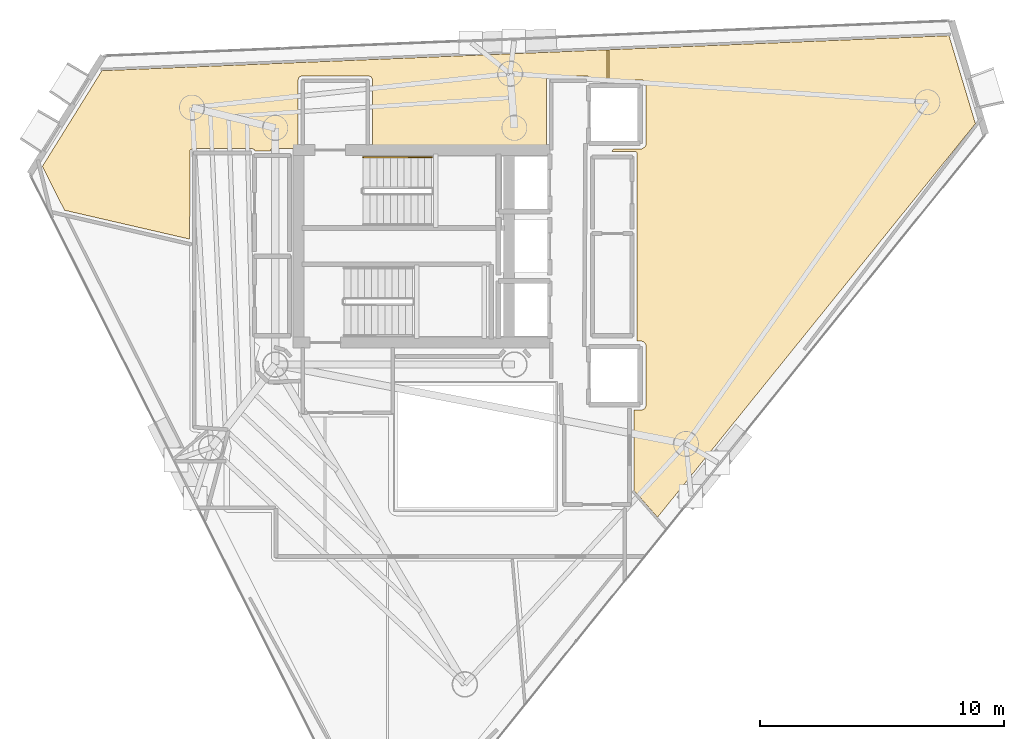
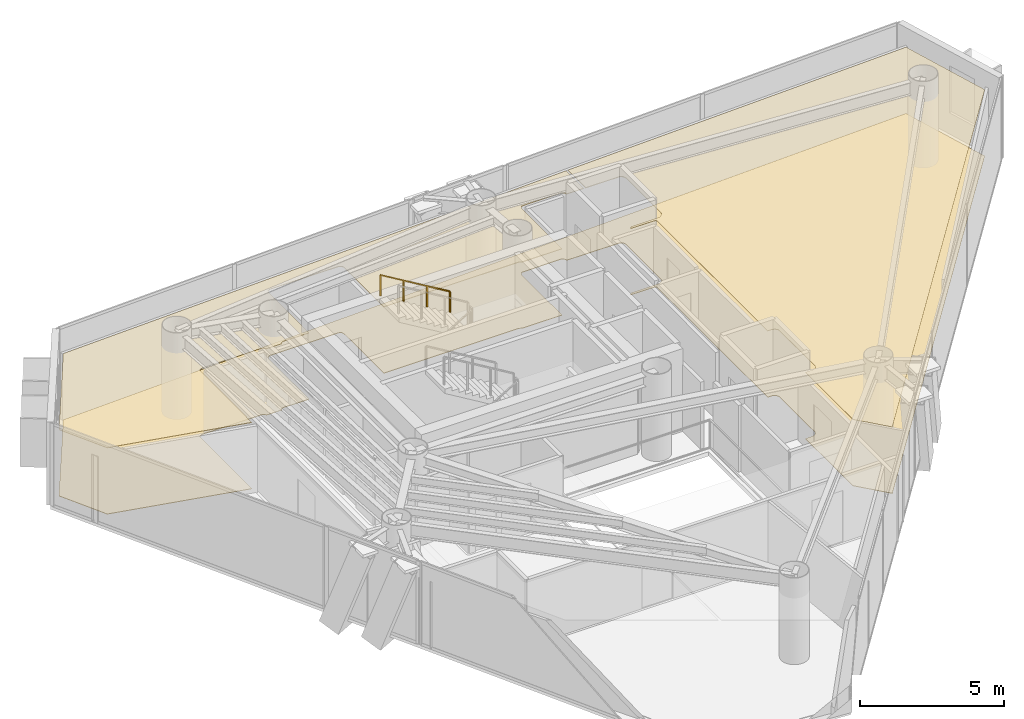
# One storey, part 18 of 19: 3 coverings, 1 railing.
"""IFC4 building model written with IfcOpenShell, lengths in metres."""

from ifc_helpers import new_model, si_unit, direction, frame, origin, origin_2d, place, context, subcontext, project, spatial, polyline, rectangle, outline, extrude, material, layer, layer_set, type_object, element, save


model = new_model("IFC4")

# Units and contexts
model_context = context("Model", 3, precision=1e-05, world=origin(), true_north=direction((0.0, 1.0)))
body_context = subcontext(model_context, "Body", "Model", "MODEL_VIEW")
ifc_project = project(units=[si_unit("LENGTHUNIT", "METRE"), si_unit("AREAUNIT", "SQUARE_METRE"), si_unit("VOLUMEUNIT", "CUBIC_METRE"), si_unit("PLANEANGLEUNIT", "RADIAN"), si_unit("MASSUNIT", "GRAM", prefix="KILO")], contexts=[model_context])

# Site, building, storey
site_placement = place(None, origin())
site = spatial("IfcSite", under=ifc_project, at=site_placement, CompositionType="ELEMENT")
building_placement = place(site_placement, origin())
building = spatial("IfcBuilding", under=site, at=building_placement, Name="Qianvela Tower", CompositionType="ELEMENT")
storey_placement = place(building_placement, frame((0.0, 0.0, 261.199951171875)))
storey = spatial("IfcBuildingStorey", under=building, at=storey_placement, Name="L67", CompositionType="ELEMENT", Elevation=261.199951171875)

# Coverings
ifc_material_1 = material(Name="Perforated Mineral Acoustic Ceiling Tile")
ifc_layer_1 = layer(ifc_material_1, 0.02490234375)
ifc_layer_set_1 = layer_set([ifc_layer_1], Name="Perforated Mineral Acoustic Ceiling Tile")
covering_type_1 = type_object("IfcCoveringType", Name="COV-CEIL-ACOUSTIC-25", PredefinedType="CEILING", material=ifc_layer_set_1)
covering_1_placement = place(storey_placement, frame((0.0, 0.0, 2.81494140625)))
element("IfcCovering", 1, at=covering_1_placement, inside=storey, type_object=covering_type_1, Name="L67 Acoustic Ceiling Bay 1 Stationery Supply Boutique L67-04", PredefinedType="CEILING", context=body_context, shape_type="SweptSolid", body=[
    extrude(outline(polyline([(28.54296875, 32.709716796875), (28.53662109375, 32.70947265625), (28.530029296875, 32.708740234375), (28.4677734375, 32.69921875), (28.460205078125, 32.697509765625), (28.452880859375, 32.6953125), (28.446044921875, 32.6923828125), (28.439208984375, 32.688720703125), (28.432861328125, 32.6845703125), (28.427001953125, 32.6796875), (28.42138671875, 32.674560546875), (28.41650390625, 32.668701171875), (28.412109375, 32.662353515625), (28.408447265625, 32.65576171875), (28.405517578125, 32.648681640625), (28.403076171875, 32.6416015625), (28.4013671875, 32.634033203125), (28.400390625, 32.62646484375), (28.39892578125, 32.609619140625), (27.7626953125, 32.607666015625), (27.759521484375, 32.6201171875), (27.757080078125, 32.62744140625), (27.754150390625, 32.634765625), (27.75048828125, 32.6416015625), (27.74609375, 32.648193359375), (27.7412109375, 32.654296875), (27.735595703125, 32.659912109375), (27.7294921875, 32.6650390625), (27.722900390625, 32.66943359375), (27.716064453125, 32.673095703125), (27.654296875, 32.702392578125), (27.647705078125, 32.705078125), (27.64111328125, 32.707275390625), (27.634033203125, 32.708740234375), (27.627197265625, 32.709716796875), (27.6201171875, 32.7099609375), (25.25, 32.7099609375), (25.2421875, 32.709716796875), (25.234375, 32.70849609375), (25.226806640625, 32.70654296875), (25.219482421875, 32.703857421875), (25.21240234375, 32.70068359375), (25.145751953125, 32.6650390625), (25.13916015625, 32.660888671875), (25.1328125, 32.65625), (25.126953125, 32.651123046875), (25.12158203125, 32.645263671875), (25.116943359375, 32.638916015625), (25.113037109375, 32.63232421875), (25.109619140625, 32.625244140625), (25.10693359375, 32.617919921875), (25.10498046875, 32.6103515625), (25.10400390625, 32.6025390625), (25.103515625, 32.5947265625), (25.09033203125, 28.990234375), (19.9609375, 30.17431640625), (19.0546875, 31.974853515625), (21.494140625, 35.895263671875), (42.2060546875, 36.75146484375), (42.2060546875, 35.516357421875), (41.515625, 35.51953125), (41.513916015625, 35.554931640625), (41.512939453125, 35.562744140625), (41.511474609375, 35.5703125), (41.509033203125, 35.577880859375), (41.506103515625, 35.585205078125), (41.50244140625, 35.591796875), (41.498046875, 35.598388671875), (41.4931640625, 35.6044921875), (41.487548828125, 35.60986328125), (41.481689453125, 35.614990234375), (41.41552734375, 35.663818359375), (41.409423828125, 35.66796875), (41.40283203125, 35.67138671875), (41.39599609375, 35.674560546875), (41.38916015625, 35.6767578125), (41.3818359375, 35.678466796875), (41.37451171875, 35.67919921875), (41.3671875, 35.6796875), (39.8349609375, 35.66650390625), (39.8271484375, 35.666015625), (39.8193359375, 35.664794921875), (39.81201171875, 35.662841796875), (39.804443359375, 35.660400390625), (39.797607421875, 35.656982421875), (39.791015625, 35.65283203125), (39.78466796875, 35.648193359375), (39.77880859375, 35.64306640625), (39.773681640625, 35.63720703125), (39.76904296875, 35.630859375), (39.764892578125, 35.624267578125), (39.7294921875, 35.5576171875), (39.72607421875, 35.550537109375), (39.723388671875, 35.543212890625), (39.721435546875, 35.53564453125), (39.720458984375, 35.52783203125), (39.719970703125, 35.52001953125), (39.719970703125, 32.719970703125), (38.125, 32.719970703125), (38.03369140625, 32.762451171875), (38.025634765625, 32.765625), (38.017333984375, 32.76806640625), (38.0087890625, 32.76953125), (38.0, 32.77001953125), (32.580078125, 32.77001953125), (32.580078125, 35.52001953125), (32.57958984375, 35.52783203125), (32.57861328125, 35.53564453125), (32.57666015625, 35.543212890625), (32.573974609375, 35.550537109375), (32.550537109375, 35.607177734375), (32.547119140625, 35.6142578125), (32.543212890625, 35.62109375), (32.538330078125, 35.627197265625), (32.533203125, 35.633056640625), (32.52734375, 35.638427734375), (32.52099609375, 35.64306640625), (32.514404296875, 35.647216796875), (32.507080078125, 35.650390625), (32.45068359375, 35.673828125), (32.443115234375, 35.676513671875), (32.435546875, 35.678466796875), (32.427734375, 35.6796875), (32.419921875, 35.679931640625), (29.699951171875, 35.679931640625), (29.692138671875, 35.6796875), (29.684326171875, 35.678466796875), (29.6767578125, 35.676513671875), (29.66943359375, 35.673828125), (29.61279296875, 35.650390625), (29.605712890625, 35.647216796875), (29.59912109375, 35.64306640625), (29.5927734375, 35.638427734375), (29.5869140625, 35.633056640625), (29.58154296875, 35.627197265625), (29.576904296875, 35.62109375), (29.572998046875, 35.6142578125), (29.569580078125, 35.607177734375), (29.546142578125, 35.550537109375), (29.54345703125, 35.543212890625), (29.54150390625, 35.53564453125), (29.540283203125, 35.52783203125), (29.5400390625, 35.52001953125), (29.5400390625, 32.700439453125), (28.54296875, 32.709716796875)])), origin(), (0.0, 0.0, 1.0), 0.025146484375),
])
covering_2_placement = place(storey_placement, frame((0.0, 0.0, 2.81494140625)))
element("IfcCovering", 2, at=covering_2_placement, inside=storey, type_object=covering_type_1, Name="L67 Acoustic Ceiling Bay 2 Stationery Supply Boutique L67-04", PredefinedType="CEILING", context=body_context, shape_type="SweptSolid", body=[
    extrude(outline(polyline([(56.21435546875, 37.330322265625), (57.29638671875, 33.72314453125), (44.266845703125, 17.591064453125), (43.31005859375, 18.680908203125), (43.309326171875, 21.980712890625), (43.60791015625, 21.982666015625), (43.615478515625, 21.983154296875), (43.623291015625, 21.984375), (43.630859375, 21.986083984375), (43.637939453125, 21.98876953125), (43.64501953125, 21.9921875), (43.716796875, 22.030517578125), (43.723388671875, 22.034423828125), (43.729736328125, 22.039306640625), (43.735595703125, 22.04443359375), (43.74072265625, 22.05029296875), (43.74560546875, 22.056640625), (43.74951171875, 22.063232421875), (43.787841796875, 22.135009765625), (43.791259765625, 22.14208984375), (43.7939453125, 22.149658203125), (43.7958984375, 22.1572265625), (43.796875, 22.1650390625), (43.79736328125, 22.1728515625), (43.789306640625, 24.65380859375), (43.788818359375, 24.66162109375), (43.787841796875, 24.66943359375), (43.785888671875, 24.677001953125), (43.783203125, 24.684326171875), (43.77978515625, 24.69140625), (43.77587890625, 24.697998046875), (43.771240234375, 24.704345703125), (43.719482421875, 24.76708984375), (43.71435546875, 24.77294921875), (43.70849609375, 24.7783203125), (43.7021484375, 24.782958984375), (43.695556640625, 24.787109375), (43.6884765625, 24.790283203125), (43.680908203125, 24.79296875), (43.603271484375, 24.816650390625), (43.595703125, 24.818603515625), (43.587890625, 24.819580078125), (43.580078125, 24.820068359375), (43.424072265625, 24.820068359375), (43.426513671875, 24.826904296875), (43.428466796875, 24.83447265625), (43.4296875, 24.84228515625), (43.429931640625, 24.85009765625), (43.429931640625, 32.5), (43.4296875, 32.5078125), (43.428466796875, 32.515380859375), (43.426513671875, 32.523193359375), (43.424072265625, 32.530517578125), (43.420654296875, 32.53759765625), (43.416748046875, 32.544189453125), (43.412109375, 32.55029296875), (43.406982421875, 32.55615234375), (43.401123046875, 32.5615234375), (43.39501953125, 32.566162109375), (43.38818359375, 32.5703125), (43.381103515625, 32.573486328125), (43.373779296875, 32.576416015625), (43.366455078125, 32.578369140625), (43.358642578125, 32.57958984375), (43.350830078125, 32.580078125), (42.39453125, 32.5908203125), (42.461181640625, 32.679931640625), (43.59375, 32.6806640625), (43.602294921875, 32.68115234375), (43.610595703125, 32.6826171875), (43.618896484375, 32.684814453125), (43.626708984375, 32.687744140625), (43.63427734375, 32.691650390625), (43.641357421875, 32.6962890625), (43.757080078125, 32.7822265625), (43.763427734375, 32.787353515625), (43.769287109375, 32.793212890625), (43.7744140625, 32.7998046875), (43.77880859375, 32.806640625), (43.782470703125, 32.81396484375), (43.785400390625, 32.82177734375), (43.78759765625, 32.82958984375), (43.788818359375, 32.837890625), (43.789306640625, 32.84619140625), (43.800048828125, 35.2998046875), (43.799560546875, 35.3076171875), (43.798583984375, 35.3154296875), (43.796630859375, 35.3232421875), (43.77294921875, 35.40087890625), (43.770263671875, 35.408447265625), (43.76708984375, 35.41552734375), (43.762939453125, 35.422119140625), (43.75830078125, 35.428466796875), (43.7529296875, 35.434326171875), (43.747314453125, 35.439697265625), (43.684326171875, 35.4912109375), (43.677978515625, 35.495849609375), (43.67138671875, 35.499755859375), (43.664306640625, 35.503173828125), (43.656982421875, 35.505859375), (43.6494140625, 35.5078125), (43.6416015625, 35.5087890625), (43.634033203125, 35.50927734375), (42.285888671875, 35.515869140625), (42.285888671875, 36.754638671875), (56.21435546875, 37.330322265625)])), origin(), (0.0, 0.0, 1.0), 0.025146484375),
])
ifc_material_2 = material(Name="Engineered Acoustic Oak Timber Flooring", Category="wood")
ifc_layer_2 = layer(ifc_material_2, 0.02001953125)
ifc_layer_set_2 = layer_set([ifc_layer_2], Name="Engineered Acoustic Oak Timber Flooring")
covering_type_2 = type_object("IfcCoveringType", Name="COV-FLOOR-OAK-20", PredefinedType="FLOORING", material=ifc_layer_set_2)
covering_3_placement = place(storey_placement, origin())
element("IfcCovering", 3, at=covering_3_placement, inside=storey, type_object=covering_type_2, Name="L67 Finish Flooring Stationery Supply Boutique L67-04", PredefinedType="FLOORING", context=body_context, shape_type="SweptSolid", body=[
    extrude(outline(polyline([(29.5400390625, 32.700439453125), (28.54296875, 32.709716796875), (28.53662109375, 32.70947265625), (28.530029296875, 32.708740234375), (28.4677734375, 32.69921875), (28.460205078125, 32.697509765625), (28.452880859375, 32.6953125), (28.446044921875, 32.6923828125), (28.439208984375, 32.688720703125), (28.432861328125, 32.6845703125), (28.427001953125, 32.6796875), (28.42138671875, 32.674560546875), (28.41650390625, 32.668701171875), (28.412109375, 32.662353515625), (28.408447265625, 32.65576171875), (28.405517578125, 32.648681640625), (28.403076171875, 32.6416015625), (28.4013671875, 32.634033203125), (28.400390625, 32.62646484375), (28.39892578125, 32.609619140625), (27.7626953125, 32.607666015625), (27.759521484375, 32.6201171875), (27.757080078125, 32.62744140625), (27.754150390625, 32.634765625), (27.75048828125, 32.6416015625), (27.74609375, 32.648193359375), (27.7412109375, 32.654296875), (27.735595703125, 32.659912109375), (27.7294921875, 32.6650390625), (27.722900390625, 32.66943359375), (27.716064453125, 32.673095703125), (27.654296875, 32.702392578125), (27.647705078125, 32.705078125), (27.64111328125, 32.707275390625), (27.634033203125, 32.708740234375), (27.627197265625, 32.709716796875), (27.6201171875, 32.7099609375), (25.25, 32.7099609375), (25.2421875, 32.709716796875), (25.234375, 32.70849609375), (25.226806640625, 32.70654296875), (25.219482421875, 32.703857421875), (25.21240234375, 32.70068359375), (25.145751953125, 32.6650390625), (25.13916015625, 32.660888671875), (25.1328125, 32.65625), (25.126953125, 32.651123046875), (25.12158203125, 32.645263671875), (25.116943359375, 32.638916015625), (25.113037109375, 32.63232421875), (25.109619140625, 32.625244140625), (25.10693359375, 32.617919921875), (25.10498046875, 32.6103515625), (25.10400390625, 32.6025390625), (25.103515625, 32.5947265625), (25.09033203125, 28.990234375), (19.9609375, 30.17431640625), (19.0546875, 31.974853515625), (21.494140625, 35.895263671875), (56.21435546875, 37.330322265625), (57.29638671875, 33.72314453125), (44.266845703125, 17.591064453125), (43.31005859375, 18.680908203125), (43.309326171875, 21.980712890625), (43.60791015625, 21.982666015625), (43.615478515625, 21.983154296875), (43.623291015625, 21.984375), (43.630859375, 21.986083984375), (43.637939453125, 21.98876953125), (43.64501953125, 21.9921875), (43.716796875, 22.030517578125), (43.723388671875, 22.034423828125), (43.729736328125, 22.039306640625), (43.735595703125, 22.04443359375), (43.74072265625, 22.05029296875), (43.74560546875, 22.056640625), (43.74951171875, 22.063232421875), (43.787841796875, 22.135009765625), (43.791259765625, 22.14208984375), (43.7939453125, 22.149658203125), (43.7958984375, 22.1572265625), (43.796875, 22.1650390625), (43.79736328125, 22.1728515625), (43.789306640625, 24.65380859375), (43.788818359375, 24.66162109375), (43.787841796875, 24.66943359375), (43.785888671875, 24.677001953125), (43.783203125, 24.684326171875), (43.77978515625, 24.69140625), (43.77587890625, 24.697998046875), (43.771240234375, 24.704345703125), (43.719482421875, 24.76708984375), (43.71435546875, 24.77294921875), (43.70849609375, 24.7783203125), (43.7021484375, 24.782958984375), (43.695556640625, 24.787109375), (43.6884765625, 24.790283203125), (43.680908203125, 24.79296875), (43.603271484375, 24.816650390625), (43.595703125, 24.818603515625), (43.587890625, 24.819580078125), (43.580078125, 24.820068359375), (43.424072265625, 24.820068359375), (43.426513671875, 24.826904296875), (43.428466796875, 24.83447265625), (43.4296875, 24.84228515625), (43.429931640625, 24.85009765625), (43.429931640625, 32.5), (43.4296875, 32.5078125), (43.428466796875, 32.515380859375), (43.426513671875, 32.523193359375), (43.424072265625, 32.530517578125), (43.420654296875, 32.53759765625), (43.416748046875, 32.544189453125), (43.412109375, 32.55029296875), (43.406982421875, 32.55615234375), (43.401123046875, 32.5615234375), (43.39501953125, 32.566162109375), (43.38818359375, 32.5703125), (43.381103515625, 32.573486328125), (43.373779296875, 32.576416015625), (43.366455078125, 32.578369140625), (43.358642578125, 32.57958984375), (43.350830078125, 32.580078125), (42.39453125, 32.5908203125), (42.461181640625, 32.679931640625), (43.59375, 32.6806640625), (43.602294921875, 32.68115234375), (43.610595703125, 32.6826171875), (43.618896484375, 32.684814453125), (43.626708984375, 32.687744140625), (43.63427734375, 32.691650390625), (43.641357421875, 32.6962890625), (43.757080078125, 32.7822265625), (43.763427734375, 32.787353515625), (43.769287109375, 32.793212890625), (43.7744140625, 32.7998046875), (43.77880859375, 32.806640625), (43.782470703125, 32.81396484375), (43.785400390625, 32.82177734375), (43.78759765625, 32.82958984375), (43.788818359375, 32.837890625), (43.789306640625, 32.84619140625), (43.800048828125, 35.2998046875), (43.799560546875, 35.3076171875), (43.798583984375, 35.3154296875), (43.796630859375, 35.3232421875), (43.77294921875, 35.40087890625), (43.770263671875, 35.408447265625), (43.76708984375, 35.41552734375), (43.762939453125, 35.422119140625), (43.75830078125, 35.428466796875), (43.7529296875, 35.434326171875), (43.747314453125, 35.439697265625), (43.684326171875, 35.4912109375), (43.677978515625, 35.495849609375), (43.67138671875, 35.499755859375), (43.664306640625, 35.503173828125), (43.656982421875, 35.505859375), (43.6494140625, 35.5078125), (43.6416015625, 35.5087890625), (43.634033203125, 35.50927734375), (41.515625, 35.51953125), (41.513916015625, 35.554931640625), (41.512939453125, 35.562744140625), (41.511474609375, 35.5703125), (41.509033203125, 35.577880859375), (41.506103515625, 35.585205078125), (41.50244140625, 35.591796875), (41.498046875, 35.598388671875), (41.4931640625, 35.6044921875), (41.487548828125, 35.60986328125), (41.481689453125, 35.614990234375), (41.41552734375, 35.663818359375), (41.409423828125, 35.66796875), (41.40283203125, 35.67138671875), (41.39599609375, 35.674560546875), (41.38916015625, 35.6767578125), (41.3818359375, 35.678466796875), (41.37451171875, 35.67919921875), (41.3671875, 35.6796875), (39.8349609375, 35.66650390625), (39.8271484375, 35.666015625), (39.8193359375, 35.664794921875), (39.81201171875, 35.662841796875), (39.804443359375, 35.660400390625), (39.797607421875, 35.656982421875), (39.791015625, 35.65283203125), (39.78466796875, 35.648193359375), (39.77880859375, 35.64306640625), (39.773681640625, 35.63720703125), (39.76904296875, 35.630859375), (39.764892578125, 35.624267578125), (39.7294921875, 35.5576171875), (39.72607421875, 35.550537109375), (39.723388671875, 35.543212890625), (39.721435546875, 35.53564453125), (39.720458984375, 35.52783203125), (39.719970703125, 35.52001953125), (39.719970703125, 32.719970703125), (38.125, 32.719970703125), (38.03369140625, 32.762451171875), (38.025634765625, 32.765625), (38.017333984375, 32.76806640625), (38.0087890625, 32.76953125), (38.0, 32.77001953125), (32.580078125, 32.77001953125), (32.580078125, 35.52001953125), (32.57958984375, 35.52783203125), (32.57861328125, 35.53564453125), (32.57666015625, 35.543212890625), (32.573974609375, 35.550537109375), (32.550537109375, 35.607177734375), (32.547119140625, 35.6142578125), (32.543212890625, 35.62109375), (32.538330078125, 35.627197265625), (32.533203125, 35.633056640625), (32.52734375, 35.638427734375), (32.52099609375, 35.64306640625), (32.514404296875, 35.647216796875), (32.507080078125, 35.650390625), (32.45068359375, 35.673828125), (32.443115234375, 35.676513671875), (32.435546875, 35.678466796875), (32.427734375, 35.6796875), (32.419921875, 35.679931640625), (29.699951171875, 35.679931640625), (29.692138671875, 35.6796875), (29.684326171875, 35.678466796875), (29.6767578125, 35.676513671875), (29.66943359375, 35.673828125), (29.61279296875, 35.650390625), (29.605712890625, 35.647216796875), (29.59912109375, 35.64306640625), (29.5927734375, 35.638427734375), (29.5869140625, 35.633056640625), (29.58154296875, 35.627197265625), (29.576904296875, 35.62109375), (29.572998046875, 35.6142578125), (29.569580078125, 35.607177734375), (29.546142578125, 35.550537109375), (29.54345703125, 35.543212890625), (29.54150390625, 35.53564453125), (29.540283203125, 35.52783203125), (29.5400390625, 35.52001953125), (29.5400390625, 32.700439453125)])), origin(), (0.0, 0.0, 1.0), 0.02001953125),
])

# Railing
ifc_material_3 = material(Name="Brushed Stainless Steel 304", Category="steel")
railing_type = type_object("IfcRailingType", Name="RL-STAIR-HANDRAIL-900", PredefinedType="HANDRAIL", material=ifc_material_3)
railing_placement = place(storey_placement, frame((35.0, 32.35009765625, 2.018310546875)))
element("IfcRailing", 4, at=railing_placement, inside=storey, type_object=railing_type, Name="L67 ST-1 stair handrail 2", PredefinedType="HANDRAIL", context=body_context, shape_type="SweptSolid", body=[
    extrude(rectangle(XDim=0.050048828125, YDim=0.0400390625, at=origin_2d()), frame((0.0, 0.0, 0.8798828125), z_axis=(-0.857275202839, 0.0, 0.514858452973), x_axis=(0.0, -1.0, 0.0)), (0.0, 0.0, 1.0), 3.26611328125),
    extrude(rectangle(XDim=0.050048828125, YDim=0.050048828125, at=origin_2d()), origin(), (0.0, 0.0, 1.0), 0.85986328125),
    extrude(rectangle(XDim=0.050048828125, YDim=0.050048828125, at=origin_2d()), frame((-0.933349609375, 0.0, 0.560546875)), (0.0, 0.0, 1.0), 0.85986328125),
    extrude(rectangle(XDim=0.050048828125, YDim=0.050048828125, at=origin_2d()), frame((-1.86669921875, 0.0, 1.12109375)), (0.0, 0.0, 1.0), 0.85986328125),
    extrude(rectangle(XDim=0.050048828125, YDim=0.050048828125, at=origin_2d()), frame((-2.800048828125, 0.0, 1.681640625)), (0.0, 0.0, 1.0), 0.85986328125),
])

save(model, "model.ifc")
